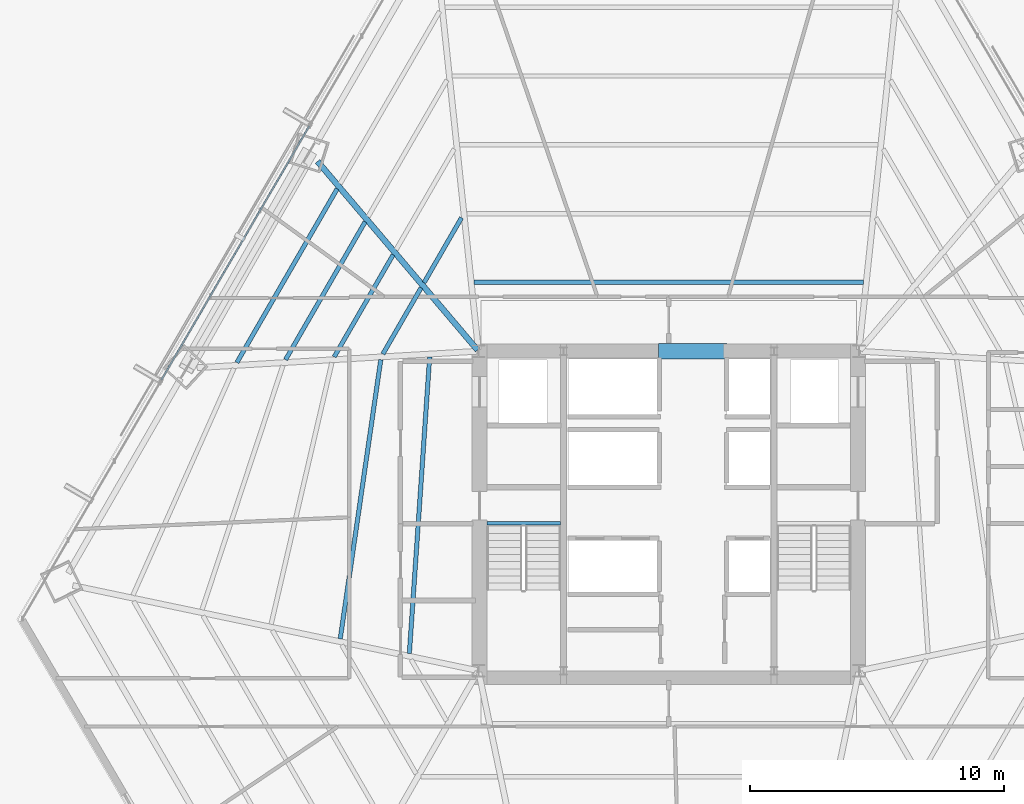
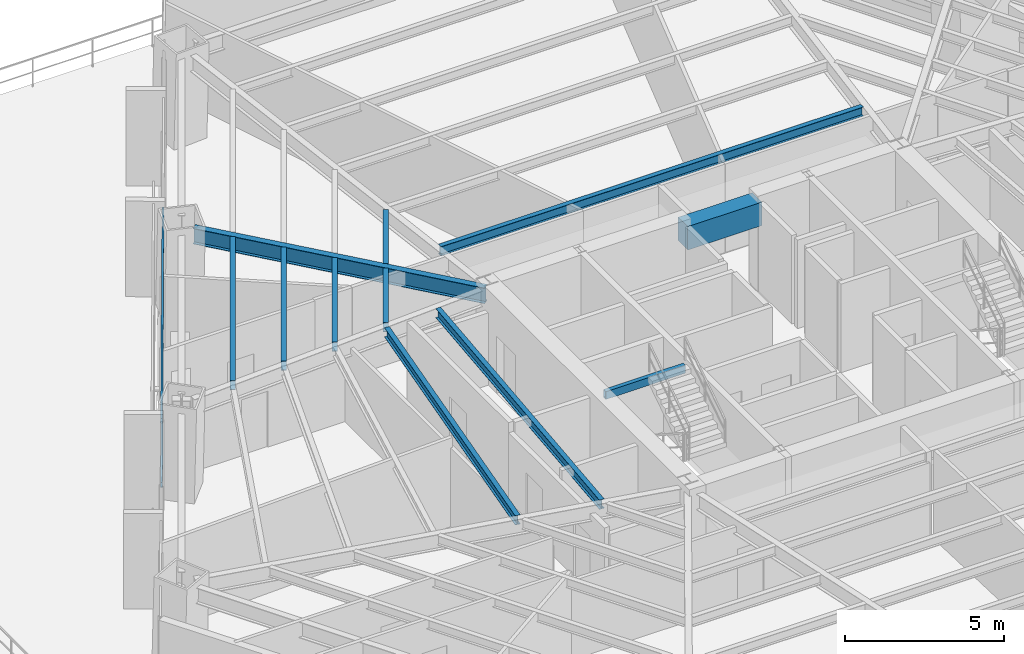
# One storey, part 12 of 35: 11 beams, 2 members, 1 element without a shape of its own.
"""IFC4 building model written with IfcOpenShell, lengths in metres."""

from ifc_helpers import new_model, si_unit, direction, frame, origin, origin_2d, place, context, subcontext, project, spatial, rectangle, hollow_rectangle, i_section, extrude, source, transform, mapped, material, material_profile, profile_set, type_object, type_shapes, element, aggregate, save


model = new_model("IFC4")

# Units and contexts
model_context = context("Model", 3, precision=1e-05, world=origin(), true_north=direction((0.0, 1.0)))
body_context = subcontext(model_context, "Body", "Model", "MODEL_VIEW")
ifc_project = project(units=[si_unit("LENGTHUNIT", "METRE"), si_unit("AREAUNIT", "SQUARE_METRE"), si_unit("VOLUMEUNIT", "CUBIC_METRE"), si_unit("PLANEANGLEUNIT", "RADIAN"), si_unit("MASSUNIT", "GRAM", prefix="KILO")], contexts=[model_context])

# Site, building, storey
site_placement = place(None, origin())
site = spatial("IfcSite", under=ifc_project, at=site_placement, CompositionType="ELEMENT")
building_placement = place(site_placement, origin())
building = spatial("IfcBuilding", under=site, at=building_placement, Name="Caelisora Broadcast Tower", CompositionType="ELEMENT")
storey_placement = place(building_placement, frame((0.0, 0.0, 27.60009765625)))
storey = spatial("IfcBuildingStorey", under=building, at=storey_placement, Name="L06", CompositionType="ELEMENT", Elevation=27.60009765625)

# Beams
ifc_material_1 = material(Name="Steel Grade 350 (AS/NZS 1163 C350L0)", Category="steel")
ifc_material_profile_1 = material_profile(ifc_material_1, hollow_rectangle(XDim=0.14990234375, YDim=0.300048828125, WallThickness=0.010009765625, at=origin_2d()), Name="Steel Grade 350 (AS/NZS 1163 C350L0)")
ifc_profile_set_1 = profile_set([ifc_material_profile_1], Name="Steel Grade 350 (AS/NZS 1163 C350L0)")
beam_type_1 = type_object("IfcBeamType", Name="SB05", PredefinedType="JOIST", material=ifc_profile_set_1)
shared_shape_1 = source(origin(), body_context, "Body", "SweptSolid", [
    extrude(hollow_rectangle(XDim=0.14990234375, YDim=0.300048828125, WallThickness=0.010009765625, at=origin_2d()), origin(), (0.0, 0.0, 1.0), 2.89990234375),
])
type_shapes(beam_type_1, [shared_shape_1])
beam_1_placement = place(storey_placement, frame((30.840087890625, 23.219970703125, 3.25), z_axis=(1.0, 0.0, 0.0), x_axis=(0.0, 1.0, 0.0)))
element("IfcBeam", 1, at=beam_1_placement, inside=storey, type_object=beam_type_1, Name="L06 beam SB05", PredefinedType="JOIST", context=body_context, shape_type="MappedRepresentation", body=[
    mapped(shared_shape_1, transform((0.0, 0.0, 0.0), scale=1.0)),
])
ifc_material_2 = material(Name="Concrete 50 MPa (AS 3600 S50)", Category="concrete")
ifc_material_profile_2 = material_profile(ifc_material_2, rectangle(XDim=0.60009765625, YDim=0.89990234375, at=origin_2d()), Name="Concrete 50 MPa (AS 3600 S50)")
ifc_profile_set_2 = profile_set([ifc_material_profile_2], Name="Concrete 50 MPa (AS 3600 S50)")
beam_type_2 = type_object("IfcBeamType", Name="CB02", PredefinedType="LINTEL", material=ifc_profile_set_2)
shared_shape_2 = source(origin(), body_context, "Body", "SweptSolid", [
    extrude(rectangle(XDim=0.60009765625, YDim=0.89990234375, at=origin_2d()), origin(), (0.0, 0.0, 1.0), 2.699951171875),
])
type_shapes(beam_type_2, [shared_shape_2])
beam_2_placement = place(storey_placement, frame((37.60009765625, 30.0, 2.949951171875), z_axis=(1.0, 0.0, 0.0), x_axis=(0.0, 1.0, 0.0)))
element("IfcBeam", 2, at=beam_2_placement, inside=storey, type_object=beam_type_2, Name="L06 beam CB02", PredefinedType="LINTEL", context=body_context, shape_type="MappedRepresentation", body=[
    mapped(shared_shape_2, transform((0.0, 0.0, 0.0), scale=1.0)),
])
ifc_material_3 = material(Name="Steel Grade 350 (AS/NZS 3679.1)", Category="steel")
ifc_material_profile_3 = material_profile(ifc_material_3, i_section(OverallWidth=0.22802734375, OverallDepth=0.602294921875, WebThickness=0.010498046875, FlangeThickness=0.014892578125, at=origin_2d()), Name="Steel Grade 350 (AS/NZS 3679.1)")
ifc_profile_set_3 = profile_set([ifc_material_profile_3], Name="Steel Grade 350 (AS/NZS 3679.1)")
beam_type_3 = type_object("IfcBeamType", Name="PG04", PredefinedType="BEAM", material=ifc_profile_set_3)
shared_shape_3 = source(origin(), body_context, "Body", "SweptSolid", [
    extrude(i_section(OverallWidth=0.22802734375, OverallDepth=0.602294921875, WebThickness=0.010498046875, FlangeThickness=0.014892578125, at=origin_2d()), origin(), (0.0, 0.0, 1.0), 9.750732421875),
])
type_shapes(beam_type_3, [shared_shape_3])
beam_3_placement = place(storey_placement, frame((30.461181640625, 30.0458984375, 3.098876953125), z_axis=(-0.64688568597, 0.762586984735, 0.0), x_axis=(-0.762586984735, -0.64688568597, 0.0)))
element("IfcBeam", 3, at=beam_3_placement, inside=storey, type_object=beam_type_3, Name="L06 beam PG04", PredefinedType="BEAM", context=body_context, shape_type="MappedRepresentation", body=[
    mapped(shared_shape_3, transform((0.0, 0.0, 0.0), scale=1.0)),
])
ifc_material_profile_4 = material_profile(ifc_material_3, i_section(OverallWidth=0.172119140625, OverallDepth=0.358642578125, WebThickness=0.008056640625, FlangeThickness=0.012939453125, at=origin_2d()), Name="Steel Grade 350 (AS/NZS 3679.1)")
ifc_profile_set_4 = profile_set([ifc_material_profile_4], Name="Steel Grade 350 (AS/NZS 3679.1)")
beam_type_4 = type_object("IfcBeamType", Name="SB02", PredefinedType="JOIST", material=ifc_profile_set_4)
shared_shape_4 = source(origin(), body_context, "Body", "SweptSolid", [
    extrude(i_section(OverallWidth=0.172119140625, OverallDepth=0.358642578125, WebThickness=0.008056640625, FlangeThickness=0.012939453125, at=origin_2d()), origin(), (0.0, 0.0, 1.0), 15.3515625),
])
beam_4_placement = place(storey_placement, frame((45.67578125, 32.713134765625, 3.220703125), z_axis=(-1.0, 0.0, 0.0), x_axis=(0.0, -1.0, 0.0)))
element("IfcBeam", 4, at=beam_4_placement, inside=storey, type_object=beam_type_4, Name="L06 beam SB02", PredefinedType="JOIST", context=body_context, shape_type="MappedRepresentation", body=[
    mapped(shared_shape_4, transform((0.0, 0.0, 0.0), scale=1.0)),
])
shared_shape_5 = source(origin(), body_context, "Body", "SweptSolid", [
    extrude(i_section(OverallWidth=0.172119140625, OverallDepth=0.358642578125, WebThickness=0.008056640625, FlangeThickness=0.012939453125, at=origin_2d()), origin(), (0.0, 0.0, 1.0), 2.953857421875),
])
beam_5_placement = place(storey_placement, frame((29.829833984375, 35.260986328125, 3.220703125), z_axis=(-0.499970484968, -0.866042443626, 0.0), x_axis=(0.866042443626, -0.499970484968, 0.0)))
element("IfcBeam", 5, at=beam_5_placement, inside=storey, type_object=beam_type_4, Name="L06 beam SB02", PredefinedType="JOIST", context=body_context, shape_type="MappedRepresentation", body=[
    mapped(shared_shape_5, transform((0.0, 0.0, 0.0), scale=1.0)),
])
shared_shape_6 = source(origin(), body_context, "Body", "SweptSolid", [
    extrude(i_section(OverallWidth=0.172119140625, OverallDepth=0.358642578125, WebThickness=0.008056640625, FlangeThickness=0.012939453125, at=origin_2d()), origin(), (0.0, 0.0, 1.0), 3.0107421875),
])
beam_6_placement = place(storey_placement, frame((28.23486328125, 32.498291015625, 3.220703125), z_axis=(-0.499993865112, -0.866028945735, 0.0), x_axis=(0.866028945735, -0.499993865112, 0.0)))
element("IfcBeam", 6, at=beam_6_placement, inside=storey, type_object=beam_type_4, Name="L06 beam SB02", PredefinedType="JOIST", context=body_context, shape_type="MappedRepresentation", body=[
    mapped(shared_shape_6, transform((0.0, 0.0, 0.0), scale=1.0)),
])
shared_shape_7 = source(origin(), body_context, "Body", "SweptSolid", [
    extrude(i_section(OverallWidth=0.172119140625, OverallDepth=0.358642578125, WebThickness=0.008056640625, FlangeThickness=0.012939453125, at=origin_2d()), origin(), (0.0, 0.0, 1.0), 4.641845703125),
])
beam_7_placement = place(storey_placement, frame((27.1318359375, 33.798583984375, 3.220703125), z_axis=(-0.500013824377, -0.86601742213, 0.0), x_axis=(0.86601742213, -0.500013824377, 0.0)))
element("IfcBeam", 7, at=beam_7_placement, inside=storey, type_object=beam_type_4, Name="L06 beam SB02", PredefinedType="JOIST", context=body_context, shape_type="MappedRepresentation", body=[
    mapped(shared_shape_7, transform((0.0, 0.0, 0.0), scale=1.0)),
])
shared_shape_8 = source(origin(), body_context, "Body", "SweptSolid", [
    extrude(i_section(OverallWidth=0.172119140625, OverallDepth=0.358642578125, WebThickness=0.008056640625, FlangeThickness=0.012939453125, at=origin_2d()), origin(), (0.0, 0.0, 1.0), 6.273681640625),
])
beam_8_placement = place(storey_placement, frame((26.02880859375, 35.09912109375, 3.220703125), z_axis=(-0.499989700211, -0.866031350288, 0.0), x_axis=(0.866031350288, -0.499989700211, 0.0)))
element("IfcBeam", 8, at=beam_8_placement, inside=storey, type_object=beam_type_4, Name="L06 beam SB02", PredefinedType="JOIST", context=body_context, shape_type="MappedRepresentation", body=[
    mapped(shared_shape_8, transform((0.0, 0.0, 0.0), scale=1.0)),
])
shared_shape_9 = source(origin(), body_context, "Body", "SweptSolid", [
    extrude(i_section(OverallWidth=0.172119140625, OverallDepth=0.358642578125, WebThickness=0.008056640625, FlangeThickness=0.012939453125, at=origin_2d()), origin(), (0.0, 0.0, 1.0), 7.90478515625),
])
beam_9_placement = place(storey_placement, frame((24.92578125, 36.3994140625, 3.220703125), z_axis=(-0.500002280537, -0.866024087112, 0.0), x_axis=(0.866024087112, -0.500002280537, 0.0)))
element("IfcBeam", 9, at=beam_9_placement, inside=storey, type_object=beam_type_4, Name="L06 beam SB02", PredefinedType="JOIST", context=body_context, shape_type="MappedRepresentation", body=[
    mapped(shared_shape_9, transform((0.0, 0.0, 0.0), scale=1.0)),
])
shared_shape_10 = source(origin(), body_context, "Body", "SweptSolid", [
    extrude(i_section(OverallWidth=0.172119140625, OverallDepth=0.358642578125, WebThickness=0.008056640625, FlangeThickness=0.012939453125, at=origin_2d()), origin(), (0.0, 0.0, 1.0), 11.716552734375),
])
beam_10_placement = place(storey_placement, frame((28.57373046875, 29.77587890625, 3.220703125), z_axis=(-0.06830435744, -0.997664530168, 0.0), x_axis=(0.997664530168, -0.06830435744, 0.0)))
element("IfcBeam", 10, at=beam_10_placement, inside=storey, type_object=beam_type_4, Name="L06 beam SB02", PredefinedType="JOIST", context=body_context, shape_type="MappedRepresentation", body=[
    mapped(shared_shape_10, transform((0.0, 0.0, 0.0), scale=1.0)),
])
shared_shape_11 = source(origin(), body_context, "Body", "SweptSolid", [
    extrude(i_section(OverallWidth=0.172119140625, OverallDepth=0.358642578125, WebThickness=0.008056640625, FlangeThickness=0.012939453125, at=origin_2d()), origin(), (0.0, 0.0, 1.0), 11.11865234375),
])
type_shapes(beam_type_4, [shared_shape_4, shared_shape_5, shared_shape_6, shared_shape_7, shared_shape_8, shared_shape_9, shared_shape_10, shared_shape_11])
beam_11_placement = place(storey_placement, frame((26.646484375, 29.6630859375, 3.220703125), z_axis=(-0.143821775911, -0.989603605882, 0.0), x_axis=(0.989603605882, -0.143821775911, 0.0)))
element("IfcBeam", 11, at=beam_11_placement, inside=storey, type_object=beam_type_4, Name="L06 beam SB02", PredefinedType="JOIST", context=body_context, shape_type="MappedRepresentation", body=[
    mapped(shared_shape_11, transform((0.0, 0.0, 0.0), scale=1.0)),
])

# Curtain wall, members
ifc_material_4 = material(Name="Unitised Aluminium Insulated Shadow-Box Spandrel Curtain Wall", Category="aluminium")
curtain_wall_type = type_object("IfcCurtainWallType", Name="CW-SP1", PredefinedType="NOTDEFINED", material=ifc_material_4)
curtain_wall_placement = place(storey_placement, origin())
curtain_wall = element("IfcCurtainWall", 12, at=curtain_wall_placement, inside=storey, type_object=curtain_wall_type, Name="L06 curtain wall CW-SP1", PredefinedType="NOTDEFINED")
ifc_material_5 = material(Name="Aluminium 6063-T6 Anodised Terracotta Bronze", Category="aluminium")
ifc_material_profile_5 = material_profile(ifc_material_5, hollow_rectangle(XDim=0.06494140625, YDim=0.179931640625, WallThickness=0.00341796875, at=origin_2d()), Name="Aluminium 6063-T6 Anodised Terracotta Bronze")
ifc_profile_set_5 = profile_set([ifc_material_profile_5], Name="Aluminium 6063-T6 Anodised Terracotta Bronze")
member_type = type_object("IfcMemberType", Name="CWT-01", PredefinedType="USERDEFINED", material=ifc_profile_set_5)
shared_shape_12 = source(origin(), body_context, "Body", "SweptSolid", [
    extrude(hollow_rectangle(XDim=0.06494140625, YDim=0.179931640625, WallThickness=0.00341796875, at=origin_2d()), origin(), (0.0, 0.0, 1.0), 11.594970703125),
])
type_shapes(member_type, [shared_shape_12])
member_1_placement = place(storey_placement, frame((17.9921875, 28.859619140625, 0.849853515625), z_axis=(0.503258203421, 0.864136089218, 0.0), x_axis=(-0.864136089218, 0.503258203421, 0.0)))
member_1 = element("IfcMember", 13, at=member_1_placement, type_object=member_type, Name="L06-CW-B10 transom #1", ObjectType="TRANSOM", PredefinedType="USERDEFINED", context=body_context, shape_type="MappedRepresentation", body=[
    mapped(shared_shape_12, transform((0.0, 0.0, 0.0), scale=1.0)),
])
member_2_placement = place(storey_placement, frame((17.9921875, 28.859619140625, 3.31982421875), z_axis=(0.503258203421, 0.864136089218, 0.0), x_axis=(-0.864136089218, 0.503258203421, 0.0)))
member_2 = element("IfcMember", 14, at=member_2_placement, type_object=member_type, Name="L06-CW-B10 transom #2", ObjectType="TRANSOM", PredefinedType="USERDEFINED", context=body_context, shape_type="MappedRepresentation", body=[
    mapped(shared_shape_12, transform((0.0, 0.0, 0.0), scale=1.0)),
])
aggregate(curtain_wall, [member_1, member_2])

save(model, "model.ifc")
